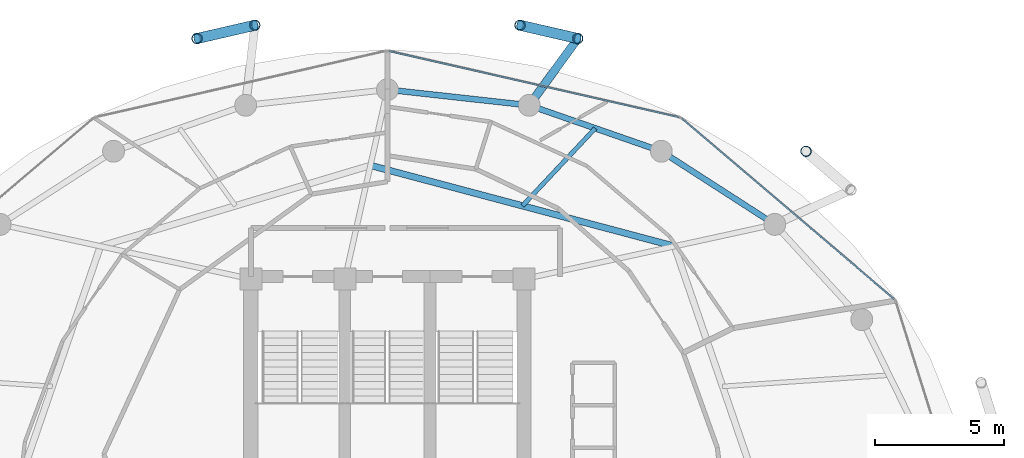
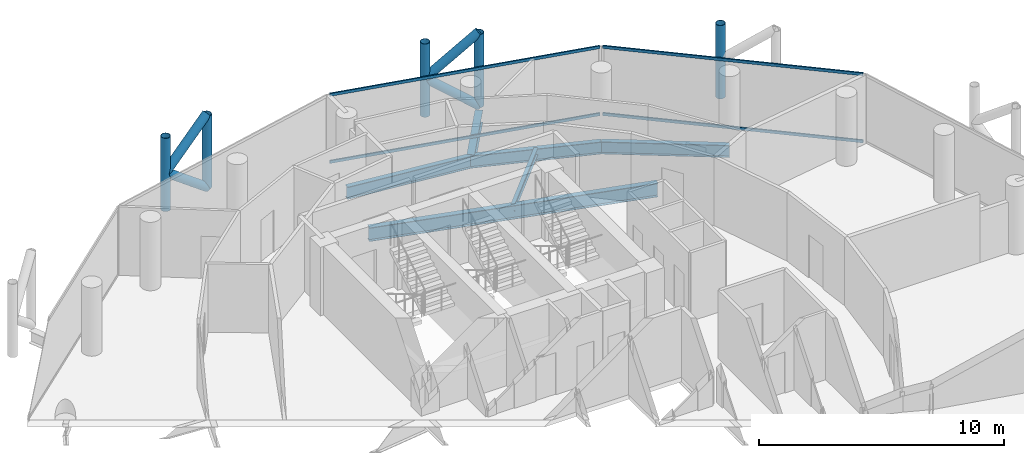
# One storey, part 20 of 27: 13 members, 6 beams, 2 elements without a shape of their own.
"""IFC4 building model written with IfcOpenShell, lengths in metres."""

import ifcopenshell
import ifcopenshell.guid

model = None  # the IFC model being written
_history = None  # IfcOwnerHistory: only IFC2X3 demands one
_inside = {}  # id of a spatial element -> (the spatial element, [elements in it])
_under = {}  # id of a project, library or spatial element -> (it, [spatial elements below it])
_declared = {}  # id of a project -> (the project, [libraries it declares])
_typed = {}  # id of a type object -> (the type object, [elements of that type])
_made_of = {}  # id of a material, layer set ... -> (it, [elements and type objects made of it])


def new_model(schema):
    """Start an empty IFC model of exactly this schema.

    Asked for "IFC4X3", IfcOpenShell would pick the latest addendum, in which some entities
    have other attributes; the version numbers below select the first issue.
    IFC2X3 requires an IfcOwnerHistory on every rooted entity: one is made here for all.
    """
    global model, _history
    if schema == "IFC4X3":
        model = ifcopenshell.file(schema_version=(4, 3, 0, 0))
    else:
        model = ifcopenshell.file(schema=schema)
    _inside.clear()
    _under.clear()
    _declared.clear()
    _typed.clear()
    _made_of.clear()
    _history = None
    if model.schema == "IFC2X3":
        org = make("IfcOrganization", Name="unknown")
        user = make(
            "IfcPersonAndOrganization",
            ThePerson=make("IfcPerson", FamilyName="unknown"),
            TheOrganization=org,
        )
        app = make(
            "IfcApplication",
            ApplicationDeveloper=org,
            Version="unknown",
            ApplicationFullName="unknown",
            ApplicationIdentifier="unknown",
        )
        _history = make(
            "IfcOwnerHistory",
            OwningUser=user,
            OwningApplication=app,
            ChangeAction="ADDED",
            CreationDate=0,
        )
    return model


def make(cls, **values):
    """One entity of the class cls with the attributes given. An attribute that is None is left unset."""
    return model.create_entity(
        cls, **{name: value for name, value in values.items() if value is not None}
    )


def rooted(cls, **values):
    """An entity with a GlobalId (a new one), such as an element, a storey or a relation."""
    return make(cls, GlobalId=ifcopenshell.guid.new(), OwnerHistory=_history, **values)


def si_unit(unit_type, name, prefix=None):
    """IfcSIUnit, for example si_unit("LENGTHUNIT", "METRE", prefix="MILLI")."""
    return make("IfcSIUnit", UnitType=unit_type, Prefix=prefix, Name=name)


def assignment(units):
    """IfcUnitAssignment: the units of a project."""
    return None if units is None else make("IfcUnitAssignment", Units=units)


def point(xyz):
    """IfcCartesianPoint."""
    return None if xyz is None else make("IfcCartesianPoint", Coordinates=xyz)


def direction(xyz):
    """IfcDirection."""
    return None if xyz is None else make("IfcDirection", DirectionRatios=xyz)


def frame(location, z_axis=None, x_axis=None):
    """IfcAxis2Placement3D, a coordinate frame: its origin and axes. An axis left out is left unset."""
    return make(
        "IfcAxis2Placement3D",
        Location=point(location),
        Axis=direction(z_axis),
        RefDirection=direction(x_axis),
    )


def frame_2d(location, x_axis=None):
    """IfcAxis2Placement2D, a coordinate frame in the plane: its origin and x axis."""
    return make(
        "IfcAxis2Placement2D", Location=point(location), RefDirection=direction(x_axis)
    )


def origin():
    """The frame at (0, 0, 0) with its axes left unset."""
    return frame((0.0, 0.0, 0.0))


def origin_2d():
    """The frame at (0, 0) in the plane with its x axis left unset."""
    return frame_2d((0.0, 0.0))


def place(relative_to, where):
    """IfcLocalPlacement: puts the frame where relative to a parent placement (None: the world)."""
    return make(
        "IfcLocalPlacement", PlacementRelTo=relative_to, RelativePlacement=where
    )


def context(
    kind, dimensions, precision=None, world=None, true_north=None, identifier=None
):
    """IfcGeometricRepresentationContext, for example the 3D "Model" context."""
    return make(
        "IfcGeometricRepresentationContext",
        ContextIdentifier=identifier,
        ContextType=kind,
        CoordinateSpaceDimension=dimensions,
        Precision=precision,
        WorldCoordinateSystem=world,
        TrueNorth=true_north,
    )


def subcontext(parent, identifier, kind, view, scale=None):
    """IfcGeometricRepresentationSubContext, for example "Body" below "Model"."""
    return make(
        "IfcGeometricRepresentationSubContext",
        ContextIdentifier=identifier,
        ContextType=kind,
        ParentContext=parent,
        TargetScale=scale,
        TargetView=view,
    )


def project(units=None, contexts=None):
    """IfcProject with its units and contexts."""
    return rooted(
        "IfcProject",
        Name="project",
        RepresentationContexts=contexts,
        UnitsInContext=assignment(units),
    )


def spatial(cls, under=None, at=None, **own):
    """A site, building, storey or space (cls), placed at a placement, below another one or the project."""
    s = rooted(cls, ObjectPlacement=at, **own)
    if under is not None:
        _under.setdefault(under.id(), (under, []))[1].append(s)
    return s


def profile(cls, at=None, kind="AREA", **sizes):
    """A parametric profile (cls). Its sizes go by their IFC names, for example OverallWidth=200.0."""
    return make(cls, ProfileType=kind, Position=at, **sizes)


def hollow_rectangle(**sizes):
    """IfcRectangleHollowProfileDef."""
    return profile("IfcRectangleHollowProfileDef", **sizes)


def hollow_circle(**sizes):
    """IfcCircleHollowProfileDef."""
    return profile("IfcCircleHollowProfileDef", **sizes)


def i_section(**sizes):
    """IfcIShapeProfileDef."""
    return profile("IfcIShapeProfileDef", **sizes)


def extrude(swept, where, along, depth):
    """IfcExtrudedAreaSolid: the profile swept, set in the frame where, extruded along a direction by depth."""
    return make(
        "IfcExtrudedAreaSolid",
        SweptArea=swept,
        Position=where,
        ExtrudedDirection=direction(along),
        Depth=depth,
    )


def shape(context_of_items, identifier, shape_type, items):
    """IfcShapeRepresentation: the items that make up one representation, for example the "Body"."""
    return make(
        "IfcShapeRepresentation",
        ContextOfItems=context_of_items,
        RepresentationIdentifier=identifier,
        RepresentationType=shape_type,
        Items=items,
    )


def material(Name=None, Category=None):
    """IfcMaterial."""
    return make("IfcMaterial", Name=Name, Category=Category)


def layer(
    of_material, thickness, ventilated=None, Name=None, Category=None, Priority=None
):
    """IfcMaterialLayer: one layer of a wall or slab, of a material (None: an air gap)."""
    return make(
        "IfcMaterialLayer",
        Material=of_material,
        LayerThickness=thickness,
        IsVentilated=ventilated,
        Name=Name,
        Category=Category,
        Priority=Priority,
    )


def layer_set(layers, Name=None):
    """IfcMaterialLayerSet."""
    return make("IfcMaterialLayerSet", MaterialLayers=layers, LayerSetName=Name)


def material_profile(
    of_material, cross_section, Name=None, Category=None, Priority=None
):
    """IfcMaterialProfile: a cross section and its material."""
    return make(
        "IfcMaterialProfile",
        Name=Name,
        Material=of_material,
        Profile=cross_section,
        Priority=Priority,
        Category=Category,
    )


def profile_set(profiles, Name=None, composite=None):
    """IfcMaterialProfileSet."""
    return make(
        "IfcMaterialProfileSet",
        Name=Name,
        MaterialProfiles=profiles,
        CompositeProfile=composite,
    )


def made_of(thing, what):
    """Note that an element or type object is made of a material, layer set ...; save() writes the relation."""
    if what is not None:
        _made_of.setdefault(what.id(), (what, []))[1].append(thing)
    return thing


def type_object(cls, material=None, **own):
    """A type object (cls), such as IfcWallType, which elements share."""
    return made_of(rooted(cls, **own), material)


def element(
    cls,
    number,
    at=None,
    inside=None,
    cuts=None,
    type_object=None,
    material=None,
    context=None,
    identifier="Body",
    shape_type=None,
    held_by="IfcProductDefinitionShape",
    body=None,
    shapes=None,
    **own,
):
    """One element of the class cls, such as IfcWall. Its Tag is "e" and its number.

    at: its placement. inside: the storey or other place that contains it. cuts: it is an
    opening in that element (IfcRelVoidsElement). A single representation is given by context,
    identifier, shape_type and body (its items); several are given by shapes. held_by: the class
    of the entity that holds the representations. save() writes the other relations.
    """
    e = rooted(cls, Tag="e%d" % number, ObjectPlacement=at, **own)
    if body is not None:
        shapes = [shape(context, identifier, shape_type, body)]
    if shapes is not None:
        e.Representation = make(held_by, Representations=shapes)
    if inside is not None:
        _inside.setdefault(inside.id(), (inside, []))[1].append(e)
    if cuts is not None:
        rooted(
            "IfcRelVoidsElement", RelatingBuildingElement=cuts, RelatedOpeningElement=e
        )
    if type_object is not None:
        _typed.setdefault(type_object.id(), (type_object, []))[1].append(e)
    return made_of(e, material)


def aggregate(whole, parts):
    """IfcRelAggregates: a whole, such as a stair, and the parts it consists of."""
    return rooted("IfcRelAggregates", RelatingObject=whole, RelatedObjects=parts)


def save(model, path):
    """Write the relations noted so far, then the file.

    IfcRelAggregates (storeys below a building ...), IfcRelContainedInSpatialStructure (elements
    in a storey), IfcRelDefinesByType, IfcRelAssociatesMaterial and IfcRelDeclares: one each for
    every whole, place, type object, material and project.
    """
    for whole, parts in _under.values():
        aggregate(whole, parts)
    for where, things in _inside.values():
        rooted(
            "IfcRelContainedInSpatialStructure",
            RelatedElements=things,
            RelatingStructure=where,
        )
    for kind, things in _typed.values():
        rooted("IfcRelDefinesByType", RelatedObjects=things, RelatingType=kind)
    for what, things in _made_of.values():
        rooted("IfcRelAssociatesMaterial", RelatedObjects=things, RelatingMaterial=what)
    for by, libraries in _declared.values():
        rooted("IfcRelDeclares", RelatingContext=by, RelatedDefinitions=libraries)
    model.write(path)


model = new_model("IFC4")

# Units and contexts
model_context = context("Model", 3, precision=1e-05, world=origin(), true_north=direction((0.0, 1.0)))
body_context = subcontext(model_context, "Body", "Model", "MODEL_VIEW")
ifc_project = project(units=[si_unit("LENGTHUNIT", "METRE"), si_unit("AREAUNIT", "SQUARE_METRE"), si_unit("VOLUMEUNIT", "CUBIC_METRE"), si_unit("PLANEANGLEUNIT", "RADIAN"), si_unit("MASSUNIT", "GRAM", prefix="KILO")], contexts=[model_context])

# Site, building, storey
site_placement = place(None, origin())
site = spatial("IfcSite", under=ifc_project, at=site_placement, CompositionType="ELEMENT")
building_placement = place(site_placement, origin())
building = spatial("IfcBuilding", under=site, at=building_placement, Name="Nuhasar Tower", CompositionType="ELEMENT")
storey_placement = place(building_placement, frame((0.0, 0.0, 233.699951171875)))
storey = spatial("IfcBuildingStorey", under=building, at=storey_placement, Name="L57", CompositionType="ELEMENT", Elevation=233.699951171875)

# Beams
ifc_material_1 = material(Name="Steel S355", Category="steel")
ifc_material_profile_1 = material_profile(ifc_material_1, i_section(OverallWidth=0.25390625, OverallDepth=0.68408203125, WebThickness=0.012451171875, FlangeThickness=0.018798828125, at=origin_2d()), Name="W27X94")
ifc_profile_set_1 = profile_set([ifc_material_profile_1], Name="Steel S355")
beam_type_1 = type_object("IfcBeamType", Name="BM-INRING-W27X94", PredefinedType="BEAM", material=ifc_profile_set_1)
beam_1_placement = place(storey_placement, frame((50.135986328125, 38.572998046875, -0.58203125), z_axis=(-0.966410333243, 0.257004022929, 0.0), x_axis=(-0.257004022929, -0.966410333243, 0.0)))
element("IfcBeam", 1, at=beam_1_placement, inside=storey, type_object=beam_type_1, Name="L57 Inner Header Beam 05", PredefinedType="BEAM", context=body_context, shape_type="SweptSolid", body=[
    extrude(i_section(OverallWidth=0.25390625, OverallDepth=0.68408203125, WebThickness=0.012451171875, FlangeThickness=0.018798828125, at=origin_2d()), origin(), (0.0, 0.0, 1.0), 12.205810546875),
])
ifc_material_profile_2 = material_profile(ifc_material_1, i_section(OverallWidth=0.1708984375, OverallDepth=0.35205078125, WebThickness=0.0068359375, FlangeThickness=0.009765625, at=origin_2d()), Name="W14X30")
ifc_profile_set_2 = profile_set([ifc_material_profile_2], Name="Steel S355")
beam_type_2 = type_object("IfcBeamType", Name="BM-JST-W14X30", PredefinedType="JOIST", material=ifc_profile_set_2)
beam_2_placement = place(storey_placement, frame((44.238037109375, 40.14208984375, -0.416015625), z_axis=(0.684358245116, 0.729145933501, 0.0), x_axis=(-0.729145933501, 0.684358245116, 0.0)))
element("IfcBeam", 2, at=beam_2_placement, inside=storey, type_object=beam_type_2, Name="L57 Secondary Floor Joist 05", PredefinedType="JOIST", context=body_context, shape_type="SweptSolid", body=[
    extrude(i_section(OverallWidth=0.1708984375, OverallDepth=0.35205078125, WebThickness=0.0068359375, FlangeThickness=0.009765625, at=origin_2d()), origin(), (0.0, 0.0, 1.0), 4.12646484375),
])
ifc_material_profile_3 = material_profile(ifc_material_1, i_section(OverallWidth=0.22802734375, OverallDepth=0.60791015625, WebThickness=0.01123046875, FlangeThickness=0.017333984375, at=origin_2d()), Name="W24X76")
ifc_profile_set_3 = profile_set([ifc_material_profile_3], Name="Steel S355")
beam_type_3 = type_object("IfcBeamType", Name="BM-RING-W24X76", PredefinedType="SPANDREL", material=ifc_profile_set_3)
beam_3_placement = place(storey_placement, frame((54.02587890625, 39.422119140625, -0.5439453125), z_axis=(-0.840502144969, 0.541808217272, 0.0), x_axis=(-0.541808217272, -0.840502144969, 0.0)))
element("IfcBeam", 3, at=beam_3_placement, inside=storey, type_object=beam_type_3, Name="L57 Perimeter Ring Spandrel 04", PredefinedType="SPANDREL", context=body_context, shape_type="SweptSolid", body=[
    extrude(i_section(OverallWidth=0.22802734375, OverallDepth=0.60791015625, WebThickness=0.01123046875, FlangeThickness=0.017333984375, at=origin_2d()), origin(), (0.0, 0.0, 1.0), 5.236083984375),
])
beam_4_placement = place(storey_placement, frame((49.625, 42.259033203125, -0.5439453125), z_axis=(-0.944476764686, 0.328578211342, 0.0), x_axis=(-0.328578211342, -0.944476764686, 0.0)))
element("IfcBeam", 4, at=beam_4_placement, inside=storey, type_object=beam_type_3, Name="L57 Perimeter Ring Spandrel 05", PredefinedType="SPANDREL", context=body_context, shape_type="SweptSolid", body=[
    extrude(i_section(OverallWidth=0.22802734375, OverallDepth=0.60791015625, WebThickness=0.01123046875, FlangeThickness=0.017333984375, at=origin_2d()), origin(), (0.0, 0.0, 1.0), 5.42626953125),
])
beam_5_placement = place(storey_placement, frame((44.5, 44.0419921875, -0.5439453125), z_axis=(-0.993947060915, 0.109860093292, 0.0), x_axis=(-0.109860093292, -0.993947060915, 0.0)))
element("IfcBeam", 5, at=beam_5_placement, inside=storey, type_object=beam_type_3, Name="L57 Perimeter Ring Spandrel 06", PredefinedType="SPANDREL", context=body_context, shape_type="SweptSolid", body=[
    extrude(i_section(OverallWidth=0.22802734375, OverallDepth=0.60791015625, WebThickness=0.01123046875, FlangeThickness=0.017333984375, at=origin_2d()), origin(), (0.0, 0.0, 1.0), 5.533447265625),
])
ifc_material_profile_4 = material_profile(ifc_material_1, i_section(OverallWidth=0.323974609375, OverallDepth=0.611083984375, WebThickness=0.0126953125, FlangeThickness=0.01904296875, at=origin_2d()), Name="W24X104")
ifc_profile_set_4 = profile_set([ifc_material_profile_4], Name="Steel S355")
beam_type_4 = type_object("IfcBeamType", Name="BM-TIE-W24X104", PredefinedType="BEAM", material=ifc_profile_set_4)
beam_6_placement = place(storey_placement, frame((44.5, 44.0419921875, -0.544921875), z_axis=(0.588094663461, 0.808792103577, 0.0), x_axis=(-0.808792103577, 0.588094663461, 0.0)))
element("IfcBeam", 6, at=beam_6_placement, inside=storey, type_object=beam_type_4, Name="L57 Exoskeleton Node Tie Beam 03", PredefinedType="BEAM", context=body_context, shape_type="SweptSolid", body=[
    extrude(i_section(OverallWidth=0.323974609375, OverallDepth=0.611083984375, WebThickness=0.0126953125, FlangeThickness=0.01904296875, at=origin_2d()), origin(), (0.0, 0.0, 1.0), 3.20361328125),
])

# Curtain wall, members
ifc_material_2 = material(Name="Aluminium 6063-T6", Category="aluminium")
ifc_layer = layer(ifc_material_2, 0.18994140625)
ifc_layer_set = layer_set([ifc_layer], Name="Aluminium 6063-T6")
curtain_wall_type = type_object("IfcCurtainWallType", Name="CW-Z3-RES", PredefinedType="NOTDEFINED", material=ifc_layer_set)
curtain_wall_1_placement = place(storey_placement, origin())
curtain_wall_1 = element("IfcCurtainWall", 7, at=curtain_wall_1_placement, inside=storey, type_object=curtain_wall_type, Name="L57 Unitised Curtain Wall 02", PredefinedType="NOTDEFINED")
ifc_material_profile_5 = material_profile(ifc_material_2, hollow_rectangle(XDim=0.06494140625, YDim=0.139892578125, WallThickness=0.00439453125, at=origin_2d()), Name="CWT-4")
ifc_profile_set_5 = profile_set([ifc_material_profile_5], Name="Aluminium 6063-T6")
member_type_1 = type_object("IfcMemberType", Name="CW-TRN-S4", PredefinedType="USERDEFINED", material=ifc_profile_set_5)
member_1_placement = place(storey_placement, frame((58.661376953125, 36.522216796875, 0.032470703125), z_axis=(-0.761730809511, 0.647893643928, 0.0), x_axis=(-0.647893643928, -0.761730809511, 0.0)))
member_1 = element("IfcMember", 8, at=member_1_placement, type_object=member_type_1, Name="CW-Z3 transom 1.1", ObjectType="TRANSOM", PredefinedType="USERDEFINED", context=body_context, shape_type="SweptSolid", body=[
    extrude(hollow_rectangle(XDim=0.06494140625, YDim=0.139892578125, WallThickness=0.00439453125, at=origin_2d()), origin(), (0.0, 0.0, 1.0), 10.806884765625),
])
member_2_placement = place(storey_placement, frame((58.661376953125, 36.522216796875, 3.37744140625), z_axis=(-0.761730809511, 0.647893643928, 0.0), x_axis=(-0.647893643928, -0.761730809511, 0.0)))
member_2 = element("IfcMember", 9, at=member_2_placement, type_object=member_type_1, Name="CW-Z3 transom 1.2", ObjectType="TRANSOM", PredefinedType="USERDEFINED", context=body_context, shape_type="SweptSolid", body=[
    extrude(hollow_rectangle(XDim=0.06494140625, YDim=0.139892578125, WallThickness=0.00439453125, at=origin_2d()), origin(), (0.0, 0.0, 1.0), 10.806884765625),
])
aggregate(curtain_wall_1, [member_1, member_2])

curtain_wall_2_placement = place(storey_placement, origin())
curtain_wall_2 = element("IfcCurtainWall", 10, at=curtain_wall_2_placement, inside=storey, type_object=curtain_wall_type, Name="L57 Unitised Curtain Wall 03", PredefinedType="NOTDEFINED")
member_3_placement = place(storey_placement, frame((50.316650390625, 43.58056640625, 0.032470703125), z_axis=(-0.974994070913, 0.222230874732, 0.0), x_axis=(-0.222230874732, -0.974994070913, 0.0)))
member_3 = element("IfcMember", 11, at=member_3_placement, type_object=member_type_1, Name="CW-Z3 transom 1.1", ObjectType="TRANSOM", PredefinedType="USERDEFINED", context=body_context, shape_type="SweptSolid", body=[
    extrude(hollow_rectangle(XDim=0.06494140625, YDim=0.139892578125, WallThickness=0.00439453125, at=origin_2d()), origin(), (0.0, 0.0, 1.0), 11.541748046875),
])
member_4_placement = place(storey_placement, frame((50.316650390625, 43.58056640625, 3.37744140625), z_axis=(-0.974994070913, 0.222230874732, 0.0), x_axis=(-0.222230874732, -0.974994070913, 0.0)))
member_4 = element("IfcMember", 12, at=member_4_placement, type_object=member_type_1, Name="CW-Z3 transom 1.2", ObjectType="TRANSOM", PredefinedType="USERDEFINED", context=body_context, shape_type="SweptSolid", body=[
    extrude(hollow_rectangle(XDim=0.06494140625, YDim=0.139892578125, WallThickness=0.00439453125, at=origin_2d()), origin(), (0.0, 0.0, 1.0), 11.541748046875),
])
aggregate(curtain_wall_2, [member_3, member_4])

# Members
ifc_material_3 = material(Name="Steel S460", Category="steel")
ifc_material_profile_6 = material_profile(ifc_material_3, hollow_circle(Radius=0.203125, WallThickness=0.01904296875, at=origin_2d()), Name="HSS406.4X19.1")
ifc_profile_set_6 = profile_set([ifc_material_profile_6], Name="Steel S460")
member_type_2 = type_object("IfcMemberType", Name="EXO-BRONZE-406", PredefinedType="BRACE", material=ifc_profile_set_6)
for number, where, z_axis, x_axis, name in (
    (13, (55.239990234375, 42.257080078125, 0.0), (0.0, 0.0, 1.0), (1.0, 0.0, 0.0), "L57 Exoskeleton Chord Column EC-02B"),
    (14, (46.384033203125, 46.633056640625, 0.0), (0.0, 0.0, 1.0), (1.0, 0.0, 0.0), "L57 Exoskeleton Chord Column EC-03A"),
    (15, (44.14306640625, 47.14892578125, 0.0), (0.0, 0.0, 1.0), (1.0, 0.0, 0.0), "L57 Exoskeleton Chord Column EC-03B"),
    (16, (33.85693359375, 47.14892578125, 0.0), (0.0, 0.0, 1.0), (1.0, 0.0, 0.0), "L57 Exoskeleton Chord Column EC-04A"),
    (17, (31.615966796875, 46.633056640625, 0.0), (0.0, 0.0, 1.0), (1.0, 0.0, 0.0), "L57 Exoskeleton Chord Column EC-04B"),
):
    element("IfcMember", number, at=place(storey_placement, frame(where, z_axis=z_axis, x_axis=x_axis)), inside=storey, type_object=member_type_2, Name=name, PredefinedType="BRACE", context=body_context, shape_type="SweptSolid", body=[
        extrude(hollow_circle(Radius=0.203125, WallThickness=0.01904296875, at=origin_2d()), origin(), (0.0, 0.0, 1.0), 3.650146484375),
    ])
for number, where, z_axis, x_axis, name in (
    (18, (46.384033203125, 46.633056640625, 0.0), (-0.763342741922, 0.175721016852, 0.621634927101), (-0.224332214284, -0.974512728308, 0.0), "L57 Bronze Diagrid Brace W1-03"),
    (19, (44.14306640625, 47.14892578125, 1.824951171875), (0.763303280332, -0.175711932819, 0.621685948771), (0.224332214284, 0.974512728308, 0.0), "L57 Bronze Diagrid Brace W2-03"),
    (20, (33.85693359375, 47.14892578125, 0.0), (-0.763342741922, -0.175721016852, 0.621634927101), (0.224332214284, -0.974512728308, 0.0), "L57 Bronze Diagrid Brace W1-04"),
    (21, (31.615966796875, 46.633056640625, 1.824951171875), (0.763303280332, 0.175711932819, 0.621685948771), (-0.224332214284, 0.974512728308, 0.0), "L57 Bronze Diagrid Brace W2-04"),
):
    element("IfcMember", number, at=place(storey_placement, frame(where, z_axis=z_axis, x_axis=x_axis)), inside=storey, type_object=member_type_2, Name=name, PredefinedType="BRACE", context=body_context, shape_type="SweptSolid", body=[
        extrude(hollow_circle(Radius=0.203125, WallThickness=0.01904296875, at=origin_2d()), origin(), (0.0, 0.0, 1.0), 2.935791015625),
    ])

save(model, "model.ifc")
